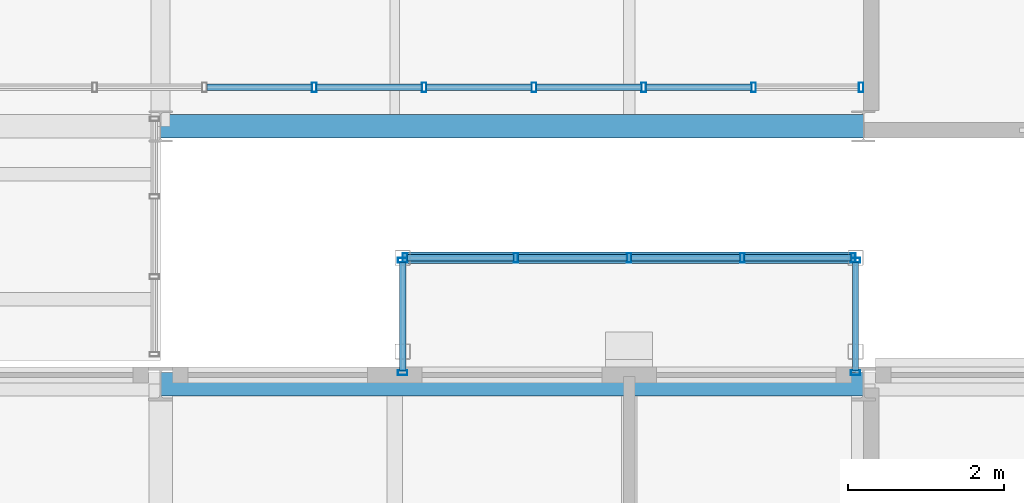
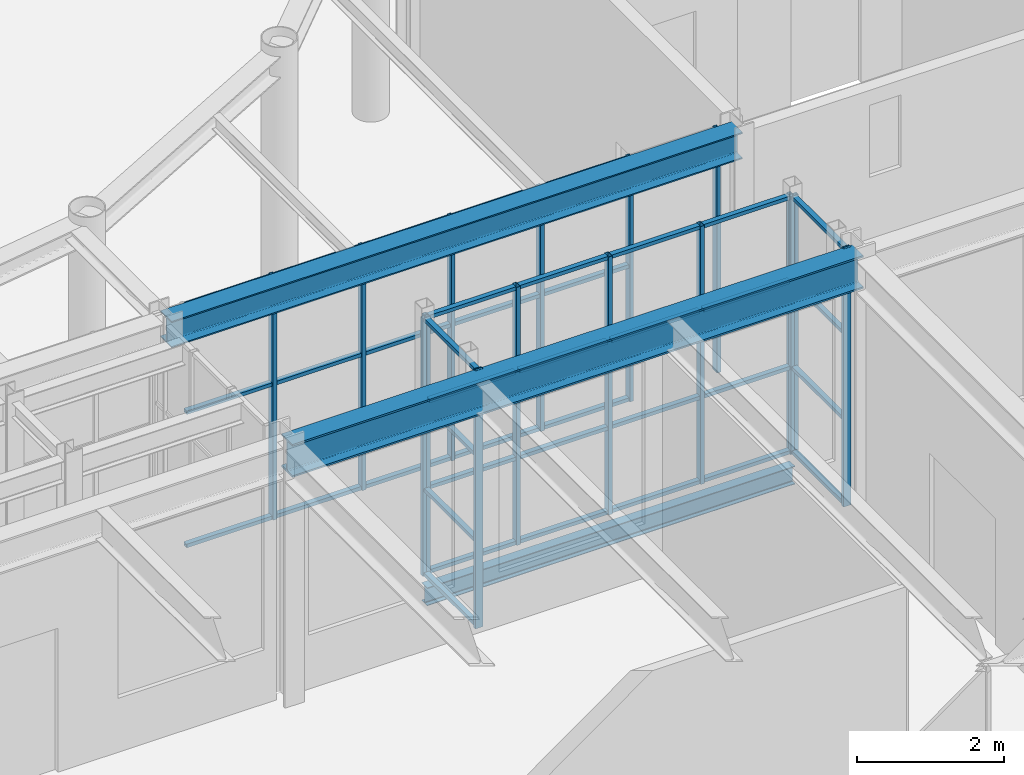
# One storey, part 50 of 149: 54 members, 3 beams, 4 elements without a shape of their own.
"""IFC4 building model written with IfcOpenShell, lengths in metres."""

import ifcopenshell
import ifcopenshell.guid

model = None  # the IFC model being written
_history = None  # IfcOwnerHistory: only IFC2X3 demands one
_inside = {}  # id of a spatial element -> (the spatial element, [elements in it])
_under = {}  # id of a project, library or spatial element -> (it, [spatial elements below it])
_declared = {}  # id of a project -> (the project, [libraries it declares])
_typed = {}  # id of a type object -> (the type object, [elements of that type])
_made_of = {}  # id of a material, layer set ... -> (it, [elements and type objects made of it])


def new_model(schema):
    """Start an empty IFC model of exactly this schema.

    Asked for "IFC4X3", IfcOpenShell would pick the latest addendum, in which some entities
    have other attributes; the version numbers below select the first issue.
    IFC2X3 requires an IfcOwnerHistory on every rooted entity: one is made here for all.
    """
    global model, _history
    if schema == "IFC4X3":
        model = ifcopenshell.file(schema_version=(4, 3, 0, 0))
    else:
        model = ifcopenshell.file(schema=schema)
    _inside.clear()
    _under.clear()
    _declared.clear()
    _typed.clear()
    _made_of.clear()
    _history = None
    if model.schema == "IFC2X3":
        org = make("IfcOrganization", Name="unknown")
        user = make(
            "IfcPersonAndOrganization",
            ThePerson=make("IfcPerson", FamilyName="unknown"),
            TheOrganization=org,
        )
        app = make(
            "IfcApplication",
            ApplicationDeveloper=org,
            Version="unknown",
            ApplicationFullName="unknown",
            ApplicationIdentifier="unknown",
        )
        _history = make(
            "IfcOwnerHistory",
            OwningUser=user,
            OwningApplication=app,
            ChangeAction="ADDED",
            CreationDate=0,
        )
    return model


def make(cls, **values):
    """One entity of the class cls with the attributes given. An attribute that is None is left unset."""
    return model.create_entity(
        cls, **{name: value for name, value in values.items() if value is not None}
    )


def rooted(cls, **values):
    """An entity with a GlobalId (a new one), such as an element, a storey or a relation."""
    return make(cls, GlobalId=ifcopenshell.guid.new(), OwnerHistory=_history, **values)


def si_unit(unit_type, name, prefix=None):
    """IfcSIUnit, for example si_unit("LENGTHUNIT", "METRE", prefix="MILLI")."""
    return make("IfcSIUnit", UnitType=unit_type, Prefix=prefix, Name=name)


def assignment(units):
    """IfcUnitAssignment: the units of a project."""
    return None if units is None else make("IfcUnitAssignment", Units=units)


def point(xyz):
    """IfcCartesianPoint."""
    return None if xyz is None else make("IfcCartesianPoint", Coordinates=xyz)


def direction(xyz):
    """IfcDirection."""
    return None if xyz is None else make("IfcDirection", DirectionRatios=xyz)


def frame(location, z_axis=None, x_axis=None):
    """IfcAxis2Placement3D, a coordinate frame: its origin and axes. An axis left out is left unset."""
    return make(
        "IfcAxis2Placement3D",
        Location=point(location),
        Axis=direction(z_axis),
        RefDirection=direction(x_axis),
    )


def frame_2d(location, x_axis=None):
    """IfcAxis2Placement2D, a coordinate frame in the plane: its origin and x axis."""
    return make(
        "IfcAxis2Placement2D", Location=point(location), RefDirection=direction(x_axis)
    )


def origin():
    """The frame at (0, 0, 0) with its axes left unset."""
    return frame((0.0, 0.0, 0.0))


def origin_2d():
    """The frame at (0, 0) in the plane with its x axis left unset."""
    return frame_2d((0.0, 0.0))


def place(relative_to, where):
    """IfcLocalPlacement: puts the frame where relative to a parent placement (None: the world)."""
    return make(
        "IfcLocalPlacement", PlacementRelTo=relative_to, RelativePlacement=where
    )


def context(
    kind, dimensions, precision=None, world=None, true_north=None, identifier=None
):
    """IfcGeometricRepresentationContext, for example the 3D "Model" context."""
    return make(
        "IfcGeometricRepresentationContext",
        ContextIdentifier=identifier,
        ContextType=kind,
        CoordinateSpaceDimension=dimensions,
        Precision=precision,
        WorldCoordinateSystem=world,
        TrueNorth=true_north,
    )


def subcontext(parent, identifier, kind, view, scale=None):
    """IfcGeometricRepresentationSubContext, for example "Body" below "Model"."""
    return make(
        "IfcGeometricRepresentationSubContext",
        ContextIdentifier=identifier,
        ContextType=kind,
        ParentContext=parent,
        TargetScale=scale,
        TargetView=view,
    )


def project(units=None, contexts=None):
    """IfcProject with its units and contexts."""
    return rooted(
        "IfcProject",
        Name="project",
        RepresentationContexts=contexts,
        UnitsInContext=assignment(units),
    )


def spatial(cls, under=None, at=None, **own):
    """A site, building, storey or space (cls), placed at a placement, below another one or the project."""
    s = rooted(cls, ObjectPlacement=at, **own)
    if under is not None:
        _under.setdefault(under.id(), (under, []))[1].append(s)
    return s


def profile(cls, at=None, kind="AREA", **sizes):
    """A parametric profile (cls). Its sizes go by their IFC names, for example OverallWidth=200.0."""
    return make(cls, ProfileType=kind, Position=at, **sizes)


def hollow_rectangle(**sizes):
    """IfcRectangleHollowProfileDef."""
    return profile("IfcRectangleHollowProfileDef", **sizes)


def i_section(**sizes):
    """IfcIShapeProfileDef."""
    return profile("IfcIShapeProfileDef", **sizes)


def extrude(swept, where, along, depth):
    """IfcExtrudedAreaSolid: the profile swept, set in the frame where, extruded along a direction by depth."""
    return make(
        "IfcExtrudedAreaSolid",
        SweptArea=swept,
        Position=where,
        ExtrudedDirection=direction(along),
        Depth=depth,
    )


def shape(context_of_items, identifier, shape_type, items):
    """IfcShapeRepresentation: the items that make up one representation, for example the "Body"."""
    return make(
        "IfcShapeRepresentation",
        ContextOfItems=context_of_items,
        RepresentationIdentifier=identifier,
        RepresentationType=shape_type,
        Items=items,
    )


def material(Name=None, Category=None):
    """IfcMaterial."""
    return make("IfcMaterial", Name=Name, Category=Category)


def layer(
    of_material, thickness, ventilated=None, Name=None, Category=None, Priority=None
):
    """IfcMaterialLayer: one layer of a wall or slab, of a material (None: an air gap)."""
    return make(
        "IfcMaterialLayer",
        Material=of_material,
        LayerThickness=thickness,
        IsVentilated=ventilated,
        Name=Name,
        Category=Category,
        Priority=Priority,
    )


def layer_set(layers, Name=None):
    """IfcMaterialLayerSet."""
    return make("IfcMaterialLayerSet", MaterialLayers=layers, LayerSetName=Name)


def material_profile(
    of_material, cross_section, Name=None, Category=None, Priority=None
):
    """IfcMaterialProfile: a cross section and its material."""
    return make(
        "IfcMaterialProfile",
        Name=Name,
        Material=of_material,
        Profile=cross_section,
        Priority=Priority,
        Category=Category,
    )


def profile_set(profiles, Name=None, composite=None):
    """IfcMaterialProfileSet."""
    return make(
        "IfcMaterialProfileSet",
        Name=Name,
        MaterialProfiles=profiles,
        CompositeProfile=composite,
    )


def made_of(thing, what):
    """Note that an element or type object is made of a material, layer set ...; save() writes the relation."""
    if what is not None:
        _made_of.setdefault(what.id(), (what, []))[1].append(thing)
    return thing


def type_object(cls, material=None, **own):
    """A type object (cls), such as IfcWallType, which elements share."""
    return made_of(rooted(cls, **own), material)


def element(
    cls,
    number,
    at=None,
    inside=None,
    cuts=None,
    type_object=None,
    material=None,
    context=None,
    identifier="Body",
    shape_type=None,
    held_by="IfcProductDefinitionShape",
    body=None,
    shapes=None,
    **own,
):
    """One element of the class cls, such as IfcWall. Its Tag is "e" and its number.

    at: its placement. inside: the storey or other place that contains it. cuts: it is an
    opening in that element (IfcRelVoidsElement). A single representation is given by context,
    identifier, shape_type and body (its items); several are given by shapes. held_by: the class
    of the entity that holds the representations. save() writes the other relations.
    """
    e = rooted(cls, Tag="e%d" % number, ObjectPlacement=at, **own)
    if body is not None:
        shapes = [shape(context, identifier, shape_type, body)]
    if shapes is not None:
        e.Representation = make(held_by, Representations=shapes)
    if inside is not None:
        _inside.setdefault(inside.id(), (inside, []))[1].append(e)
    if cuts is not None:
        rooted(
            "IfcRelVoidsElement", RelatingBuildingElement=cuts, RelatedOpeningElement=e
        )
    if type_object is not None:
        _typed.setdefault(type_object.id(), (type_object, []))[1].append(e)
    return made_of(e, material)


def aggregate(whole, parts):
    """IfcRelAggregates: a whole, such as a stair, and the parts it consists of."""
    return rooted("IfcRelAggregates", RelatingObject=whole, RelatedObjects=parts)


def save(model, path):
    """Write the relations noted so far, then the file.

    IfcRelAggregates (storeys below a building ...), IfcRelContainedInSpatialStructure (elements
    in a storey), IfcRelDefinesByType, IfcRelAssociatesMaterial and IfcRelDeclares: one each for
    every whole, place, type object, material and project.
    """
    for whole, parts in _under.values():
        aggregate(whole, parts)
    for where, things in _inside.values():
        rooted(
            "IfcRelContainedInSpatialStructure",
            RelatedElements=things,
            RelatingStructure=where,
        )
    for kind, things in _typed.values():
        rooted("IfcRelDefinesByType", RelatedObjects=things, RelatingType=kind)
    for what, things in _made_of.values():
        rooted("IfcRelAssociatesMaterial", RelatedObjects=things, RelatingMaterial=what)
    for by, libraries in _declared.values():
        rooted("IfcRelDeclares", RelatingContext=by, RelatedDefinitions=libraries)
    model.write(path)


model = new_model("IFC4")

# Units and contexts
model_context = context("Model", 3, precision=1e-05, world=origin(), true_north=direction((0.0, 1.0)))
body_context = subcontext(model_context, "Body", "Model", "MODEL_VIEW")
ifc_project = project(units=[si_unit("LENGTHUNIT", "METRE"), si_unit("AREAUNIT", "SQUARE_METRE"), si_unit("VOLUMEUNIT", "CUBIC_METRE"), si_unit("PLANEANGLEUNIT", "RADIAN"), si_unit("MASSUNIT", "GRAM", prefix="KILO")], contexts=[model_context])

# Site, building, storey
site_placement = place(None, origin())
site = spatial("IfcSite", under=ifc_project, at=site_placement, CompositionType="ELEMENT")
building_placement = place(site_placement, origin())
building = spatial("IfcBuilding", under=site, at=building_placement, Name="Kallimachos Central Library", CompositionType="ELEMENT")
storey_placement = place(building_placement, frame((0.0, 0.0, 9.89990234375)))
storey = spatial("IfcBuildingStorey", under=building, at=storey_placement, Name="L02", CompositionType="ELEMENT", Elevation=9.89990234375)

# Curtain wall, members
ifc_material_1 = material(Name="Anodised aluminium and laminated glass", Category="aluminium")
ifc_layer = layer(ifc_material_1, 0.159912109375)
ifc_layer_set = layer_set([ifc_layer], Name="Glass box curtain wall")
curtain_wall_type_1 = type_object("IfcCurtainWallType", Name="Glass box curtain wall", PredefinedType="NOTDEFINED", material=ifc_layer_set)
curtain_wall_1_placement = place(storey_placement, origin())
curtain_wall_1 = element("IfcCurtainWall", 1, at=curtain_wall_1_placement, inside=storey, type_object=curtain_wall_type_1, Name="Glass box curtain wall S L02", PredefinedType="NOTDEFINED")
ifc_material_2 = material(Name="Anodised aluminium", Category="aluminium")
ifc_material_profile_1 = material_profile(ifc_material_2, hollow_rectangle(XDim=0.06005859375, YDim=0.1201171875, WallThickness=0.00390625, at=origin_2d()), Name="ALU MULLION 60x120")
ifc_profile_set_1 = profile_set([ifc_material_profile_1], Name="Anodised aluminium")
member_type_1 = type_object("IfcMemberType", Name="Glass box mullion 60x120", PredefinedType="MULLION", material=ifc_profile_set_1)
member_1_placement = place(storey_placement, frame((94.46875, 87.64990234375, 0.0), z_axis=(0.0, 0.0, 1.0), x_axis=(1.0, 0.0, 0.0)))
member_1 = element("IfcMember", 2, at=member_1_placement, type_object=member_type_1, Name="CW13 mullion 4", PredefinedType="MULLION", context=body_context, shape_type="SweptSolid", body=[
    extrude(hollow_rectangle(XDim=0.06005859375, YDim=0.1201171875, WallThickness=0.00390625, at=origin_2d()), origin(), (0.0, 0.0, 1.0), 4.050048828125),
])
member_2_placement = place(storey_placement, frame((95.875, 87.64990234375, 0.0), z_axis=(0.0, 0.0, 1.0), x_axis=(1.0, 0.0, 0.0)))
member_2 = element("IfcMember", 3, at=member_2_placement, type_object=member_type_1, Name="CW13 mullion 5", PredefinedType="MULLION", context=body_context, shape_type="SweptSolid", body=[
    extrude(hollow_rectangle(XDim=0.06005859375, YDim=0.1201171875, WallThickness=0.00390625, at=origin_2d()), origin(), (0.0, 0.0, 1.0), 4.050048828125),
])
member_3_placement = place(storey_placement, frame((97.28125, 87.64990234375, 0.0), z_axis=(0.0, 0.0, 1.0), x_axis=(1.0, 0.0, 0.0)))
member_3 = element("IfcMember", 4, at=member_3_placement, type_object=member_type_1, Name="CW13 mullion 6", PredefinedType="MULLION", context=body_context, shape_type="SweptSolid", body=[
    extrude(hollow_rectangle(XDim=0.06005859375, YDim=0.1201171875, WallThickness=0.00390625, at=origin_2d()), origin(), (0.0, 0.0, 1.0), 4.050048828125),
])
member_4_placement = place(storey_placement, frame((98.6875, 87.64990234375, 0.0), z_axis=(0.0, 0.0, 1.0), x_axis=(1.0, 0.0, 0.0)))
member_4 = element("IfcMember", 5, at=member_4_placement, type_object=member_type_1, Name="CW13 mullion 7", PredefinedType="MULLION", context=body_context, shape_type="SweptSolid", body=[
    extrude(hollow_rectangle(XDim=0.06005859375, YDim=0.1201171875, WallThickness=0.00390625, at=origin_2d()), origin(), (0.0, 0.0, 1.0), 4.050048828125),
])
member_5_placement = place(storey_placement, frame((100.09375, 87.64990234375, 0.0), z_axis=(0.0, 0.0, 1.0), x_axis=(1.0, 0.0, 0.0)))
member_5 = element("IfcMember", 6, at=member_5_placement, type_object=member_type_1, Name="CW13 mullion 8", PredefinedType="MULLION", context=body_context, shape_type="SweptSolid", body=[
    extrude(hollow_rectangle(XDim=0.06005859375, YDim=0.1201171875, WallThickness=0.00390625, at=origin_2d()), origin(), (0.0, 0.0, 1.0), 4.050048828125),
])
member_6_placement = place(storey_placement, frame((101.469970703125, 87.64990234375, 0.0), z_axis=(0.0, 0.0, 1.0), x_axis=(1.0, 0.0, 0.0)))
member_6 = element("IfcMember", 7, at=member_6_placement, type_object=member_type_1, Name="CW13 mullion 9", PredefinedType="MULLION", context=body_context, shape_type="SweptSolid", body=[
    extrude(hollow_rectangle(XDim=0.06005859375, YDim=0.1201171875, WallThickness=0.00390625, at=origin_2d()), origin(), (0.0, 0.0, 1.0), 4.050048828125),
])
ifc_material_3 = material(Name="Anodised aluminium", Category="aluminium")
ifc_material_profile_2 = material_profile(ifc_material_3, hollow_rectangle(XDim=0.06005859375, YDim=0.080078125, WallThickness=0.00390625, at=origin_2d()), Name="ALU TRANSOM 60x80")
ifc_profile_set_2 = profile_set([ifc_material_profile_2], Name="Anodised aluminium")
member_type_2 = type_object("IfcMemberType", Name="Glass box transom 60x80", PredefinedType="USERDEFINED", material=ifc_profile_set_2)
member_7_placement = place(storey_placement, frame((93.092529296875, 87.64990234375, 0.030029296875), z_axis=(1.0, 0.0, 0.0), x_axis=(0.0, 0.0, 1.0)))
member_7 = element("IfcMember", 8, at=member_7_placement, type_object=member_type_2, Name="CW13 transom 3.1", ObjectType="TRANSOM", PredefinedType="USERDEFINED", context=body_context, shape_type="SweptSolid", body=[
    extrude(hollow_rectangle(XDim=0.06005859375, YDim=0.080078125, WallThickness=0.00390625, at=origin_2d()), origin(), (0.0, 0.0, 1.0), 1.34619140625),
])
member_8_placement = place(storey_placement, frame((93.092529296875, 87.64990234375, 2.25), z_axis=(1.0, 0.0, 0.0), x_axis=(0.0, 0.0, 1.0)))
member_8 = element("IfcMember", 9, at=member_8_placement, type_object=member_type_2, Name="CW13 transom 3.2", ObjectType="TRANSOM", PredefinedType="USERDEFINED", context=body_context, shape_type="SweptSolid", body=[
    extrude(hollow_rectangle(XDim=0.06005859375, YDim=0.080078125, WallThickness=0.00390625, at=origin_2d()), origin(), (0.0, 0.0, 1.0), 1.34619140625),
])
member_9_placement = place(storey_placement, frame((93.092529296875, 87.64990234375, 4.02001953125), z_axis=(1.0, 0.0, 0.0), x_axis=(0.0, 0.0, 1.0)))
member_9 = element("IfcMember", 10, at=member_9_placement, type_object=member_type_2, Name="CW13 transom 3.3", ObjectType="TRANSOM", PredefinedType="USERDEFINED", context=body_context, shape_type="SweptSolid", body=[
    extrude(hollow_rectangle(XDim=0.06005859375, YDim=0.080078125, WallThickness=0.00390625, at=origin_2d()), origin(), (0.0, 0.0, 1.0), 1.34619140625),
])
member_10_placement = place(storey_placement, frame((94.498779296875, 87.64990234375, 0.030029296875), z_axis=(1.0, 0.0, 0.0), x_axis=(0.0, 0.0, 1.0)))
member_10 = element("IfcMember", 11, at=member_10_placement, type_object=member_type_2, Name="CW13 transom 4.1", ObjectType="TRANSOM", PredefinedType="USERDEFINED", context=body_context, shape_type="SweptSolid", body=[
    extrude(hollow_rectangle(XDim=0.06005859375, YDim=0.080078125, WallThickness=0.00390625, at=origin_2d()), origin(), (0.0, 0.0, 1.0), 1.34619140625),
])
member_11_placement = place(storey_placement, frame((94.498779296875, 87.64990234375, 2.25), z_axis=(1.0, 0.0, 0.0), x_axis=(0.0, 0.0, 1.0)))
member_11 = element("IfcMember", 12, at=member_11_placement, type_object=member_type_2, Name="CW13 transom 4.2", ObjectType="TRANSOM", PredefinedType="USERDEFINED", context=body_context, shape_type="SweptSolid", body=[
    extrude(hollow_rectangle(XDim=0.06005859375, YDim=0.080078125, WallThickness=0.00390625, at=origin_2d()), origin(), (0.0, 0.0, 1.0), 1.34619140625),
])
member_12_placement = place(storey_placement, frame((94.498779296875, 87.64990234375, 4.02001953125), z_axis=(1.0, 0.0, 0.0), x_axis=(0.0, 0.0, 1.0)))
member_12 = element("IfcMember", 13, at=member_12_placement, type_object=member_type_2, Name="CW13 transom 4.3", ObjectType="TRANSOM", PredefinedType="USERDEFINED", context=body_context, shape_type="SweptSolid", body=[
    extrude(hollow_rectangle(XDim=0.06005859375, YDim=0.080078125, WallThickness=0.00390625, at=origin_2d()), origin(), (0.0, 0.0, 1.0), 1.34619140625),
])
member_13_placement = place(storey_placement, frame((95.905029296875, 87.64990234375, 0.030029296875), z_axis=(1.0, 0.0, 0.0), x_axis=(0.0, 0.0, 1.0)))
member_13 = element("IfcMember", 14, at=member_13_placement, type_object=member_type_2, Name="CW13 transom 5.1", ObjectType="TRANSOM", PredefinedType="USERDEFINED", context=body_context, shape_type="SweptSolid", body=[
    extrude(hollow_rectangle(XDim=0.06005859375, YDim=0.080078125, WallThickness=0.00390625, at=origin_2d()), origin(), (0.0, 0.0, 1.0), 1.34619140625),
])
member_14_placement = place(storey_placement, frame((95.905029296875, 87.64990234375, 2.25), z_axis=(1.0, 0.0, 0.0), x_axis=(0.0, 0.0, 1.0)))
member_14 = element("IfcMember", 15, at=member_14_placement, type_object=member_type_2, Name="CW13 transom 5.2", ObjectType="TRANSOM", PredefinedType="USERDEFINED", context=body_context, shape_type="SweptSolid", body=[
    extrude(hollow_rectangle(XDim=0.06005859375, YDim=0.080078125, WallThickness=0.00390625, at=origin_2d()), origin(), (0.0, 0.0, 1.0), 1.34619140625),
])
member_15_placement = place(storey_placement, frame((95.905029296875, 87.64990234375, 4.02001953125), z_axis=(1.0, 0.0, 0.0), x_axis=(0.0, 0.0, 1.0)))
member_15 = element("IfcMember", 16, at=member_15_placement, type_object=member_type_2, Name="CW13 transom 5.3", ObjectType="TRANSOM", PredefinedType="USERDEFINED", context=body_context, shape_type="SweptSolid", body=[
    extrude(hollow_rectangle(XDim=0.06005859375, YDim=0.080078125, WallThickness=0.00390625, at=origin_2d()), origin(), (0.0, 0.0, 1.0), 1.34619140625),
])
member_16_placement = place(storey_placement, frame((97.311279296875, 87.64990234375, 0.030029296875), z_axis=(1.0, 0.0, 0.0), x_axis=(0.0, 0.0, 1.0)))
member_16 = element("IfcMember", 17, at=member_16_placement, type_object=member_type_2, Name="CW13 transom 6.1", ObjectType="TRANSOM", PredefinedType="USERDEFINED", context=body_context, shape_type="SweptSolid", body=[
    extrude(hollow_rectangle(XDim=0.06005859375, YDim=0.080078125, WallThickness=0.00390625, at=origin_2d()), origin(), (0.0, 0.0, 1.0), 1.34619140625),
])
member_17_placement = place(storey_placement, frame((97.311279296875, 87.64990234375, 2.25), z_axis=(1.0, 0.0, 0.0), x_axis=(0.0, 0.0, 1.0)))
member_17 = element("IfcMember", 18, at=member_17_placement, type_object=member_type_2, Name="CW13 transom 6.2", ObjectType="TRANSOM", PredefinedType="USERDEFINED", context=body_context, shape_type="SweptSolid", body=[
    extrude(hollow_rectangle(XDim=0.06005859375, YDim=0.080078125, WallThickness=0.00390625, at=origin_2d()), origin(), (0.0, 0.0, 1.0), 1.34619140625),
])
member_18_placement = place(storey_placement, frame((97.311279296875, 87.64990234375, 4.02001953125), z_axis=(1.0, 0.0, 0.0), x_axis=(0.0, 0.0, 1.0)))
member_18 = element("IfcMember", 19, at=member_18_placement, type_object=member_type_2, Name="CW13 transom 6.3", ObjectType="TRANSOM", PredefinedType="USERDEFINED", context=body_context, shape_type="SweptSolid", body=[
    extrude(hollow_rectangle(XDim=0.06005859375, YDim=0.080078125, WallThickness=0.00390625, at=origin_2d()), origin(), (0.0, 0.0, 1.0), 1.34619140625),
])
member_19_placement = place(storey_placement, frame((98.717529296875, 87.64990234375, 0.030029296875), z_axis=(1.0, 0.0, 0.0), x_axis=(0.0, 0.0, 1.0)))
member_19 = element("IfcMember", 20, at=member_19_placement, type_object=member_type_2, Name="CW13 transom 7.1", ObjectType="TRANSOM", PredefinedType="USERDEFINED", context=body_context, shape_type="SweptSolid", body=[
    extrude(hollow_rectangle(XDim=0.06005859375, YDim=0.080078125, WallThickness=0.00390625, at=origin_2d()), origin(), (0.0, 0.0, 1.0), 1.34619140625),
])
member_20_placement = place(storey_placement, frame((98.717529296875, 87.64990234375, 2.25), z_axis=(1.0, 0.0, 0.0), x_axis=(0.0, 0.0, 1.0)))
member_20 = element("IfcMember", 21, at=member_20_placement, type_object=member_type_2, Name="CW13 transom 7.2", ObjectType="TRANSOM", PredefinedType="USERDEFINED", context=body_context, shape_type="SweptSolid", body=[
    extrude(hollow_rectangle(XDim=0.06005859375, YDim=0.080078125, WallThickness=0.00390625, at=origin_2d()), origin(), (0.0, 0.0, 1.0), 1.34619140625),
])
member_21_placement = place(storey_placement, frame((98.717529296875, 87.64990234375, 4.02001953125), z_axis=(1.0, 0.0, 0.0), x_axis=(0.0, 0.0, 1.0)))
member_21 = element("IfcMember", 22, at=member_21_placement, type_object=member_type_2, Name="CW13 transom 7.3", ObjectType="TRANSOM", PredefinedType="USERDEFINED", context=body_context, shape_type="SweptSolid", body=[
    extrude(hollow_rectangle(XDim=0.06005859375, YDim=0.080078125, WallThickness=0.00390625, at=origin_2d()), origin(), (0.0, 0.0, 1.0), 1.34619140625),
])
aggregate(curtain_wall_1, [member_1, member_2, member_3, member_4, member_5, member_6, member_7, member_8, member_9, member_10, member_11, member_12, member_13, member_14, member_15, member_16, member_17, member_18, member_19, member_20, member_21])

# Beams
ifc_material_4 = material(Name="Steel S355J2", Category="steel")
ifc_material_profile_3 = material_profile(ifc_material_4, i_section(OverallWidth=0.300048828125, OverallDepth=0.43994140625, WebThickness=0.011474609375, FlangeThickness=0.02099609375, FilletRadius=0.027099609375, at=origin_2d()), Name="HEA 450")
ifc_profile_set_3 = profile_set([ifc_material_profile_3], Name="Steel S355J2")
beam_type_1 = type_object("IfcBeamType", Name="HEA 450 beam", PredefinedType="BEAM", material=ifc_profile_set_3)
beam_1_placement = place(storey_placement, frame((92.5, 87.14990234375, 4.130126953125), z_axis=(1.0, 0.0, 0.0), x_axis=(0.0, 1.0, 0.0)))
element("IfcBeam", 23, at=beam_1_placement, inside=storey, type_object=beam_type_1, Name="V1-BEM-L02-041", PredefinedType="BEAM", context=body_context, shape_type="SweptSolid", body=[
    extrude(i_section(OverallWidth=0.300048828125, OverallDepth=0.43994140625, WebThickness=0.011474609375, FlangeThickness=0.02099609375, FilletRadius=0.027099609375, at=origin_2d()), origin(), (0.0, 0.0, 1.0), 9.0),
])
ifc_material_5 = material(Name="Steel S355J2", Category="steel")
ifc_material_profile_4 = material_profile(ifc_material_5, i_section(OverallWidth=0.300048828125, OverallDepth=0.550048828125, WebThickness=0.014892578125, FlangeThickness=0.029052734375, FilletRadius=0.027099609375, at=origin_2d()), Name="HEB 550")
ifc_profile_set_4 = profile_set([ifc_material_profile_4], Name="Steel S355J2")
beam_type_2 = type_object("IfcBeamType", Name="HEB 550 beam", PredefinedType="BEAM", material=ifc_profile_set_4)
beam_2_placement = place(storey_placement, frame((92.5, 83.85009765625, 4.025146484375), z_axis=(1.0, 0.0, 0.0), x_axis=(0.0, 1.0, 0.0)))
element("IfcBeam", 24, at=beam_2_placement, inside=storey, type_object=beam_type_2, Name="V4-BEM-L02-007", PredefinedType="BEAM", context=body_context, shape_type="SweptSolid", body=[
    extrude(i_section(OverallWidth=0.300048828125, OverallDepth=0.550048828125, WebThickness=0.014892578125, FlangeThickness=0.029052734375, FilletRadius=0.027099609375, at=origin_2d()), origin(), (0.0, 0.0, 1.0), 9.0),
])
ifc_material_6 = material(Name="Steel S355J2", Category="steel")
ifc_material_profile_5 = material_profile(ifc_material_6, i_section(OverallWidth=0.14990234375, OverallDepth=0.300048828125, WebThickness=0.007080078125, FlangeThickness=0.0107421875, FilletRadius=0.014892578125, at=origin_2d()), Name="IPE 300")
ifc_profile_set_5 = profile_set([ifc_material_profile_5], Name="Steel S355J2")
beam_type_3 = type_object("IfcBeamType", Name="IPE 300 beam", PredefinedType="BEAM", material=ifc_profile_set_5)
beam_3_placement = place(storey_placement, frame((95.60009765625, 85.466064453125, -0.349853515625), z_axis=(1.0, 0.0, 0.0), x_axis=(0.0, 1.0, 0.0)))
element("IfcBeam", 25, at=beam_3_placement, inside=storey, type_object=beam_type_3, Name="Tribune bay N2 edge beam L02", PredefinedType="BEAM", context=body_context, shape_type="SweptSolid", body=[
    extrude(i_section(OverallWidth=0.14990234375, OverallDepth=0.300048828125, WebThickness=0.007080078125, FlangeThickness=0.0107421875, FilletRadius=0.014892578125, at=origin_2d()), origin(), (0.0, 0.0, 1.0), 5.7998046875),
])

# Curtain wall, members
ifc_material_7 = material(Name="Aluminium and laminated glass", Category="aluminium")
curtain_wall_type_2 = type_object("IfcCurtainWallType", Name="Tribune bay glazed screen", PredefinedType="NOTDEFINED", material=ifc_material_7)
curtain_wall_2_placement = place(storey_placement, origin())
curtain_wall_2 = element("IfcCurtainWall", 26, at=curtain_wall_2_placement, inside=storey, type_object=curtain_wall_type_2, Name="Tribune bay N2 L02 front", PredefinedType="NOTDEFINED")
ifc_material_8 = material(Name="Anodised aluminium", Category="aluminium")
ifc_material_profile_6 = material_profile(ifc_material_8, hollow_rectangle(XDim=0.06005859375, YDim=0.1201171875, WallThickness=0.00390625, at=origin_2d()), Name="ALU MULLION 60x120")
ifc_profile_set_6 = profile_set([ifc_material_profile_6], Name="Anodised aluminium")
member_type_3 = type_object("IfcMemberType", Name="Tribune bay mullion", PredefinedType="MULLION", material=ifc_profile_set_6)
member_22_placement = place(storey_placement, frame((95.6298828125, 85.466064453125, 0.0), z_axis=(0.0, 0.0, 1.0), x_axis=(1.0, 0.0, 0.0)))
member_22 = element("IfcMember", 27, at=member_22_placement, type_object=member_type_3, Name="CW mullion 1", PredefinedType="MULLION", context=body_context, shape_type="SweptSolid", body=[
    extrude(hollow_rectangle(XDim=0.06005859375, YDim=0.1201171875, WallThickness=0.00390625, at=origin_2d()), origin(), (0.0, 0.0, 1.0), 4.300048828125),
])
member_23_placement = place(storey_placement, frame((97.050048828125, 85.466064453125, 0.0), z_axis=(0.0, 0.0, 1.0), x_axis=(1.0, 0.0, 0.0)))
member_23 = element("IfcMember", 28, at=member_23_placement, type_object=member_type_3, Name="CW mullion 2", PredefinedType="MULLION", context=body_context, shape_type="SweptSolid", body=[
    extrude(hollow_rectangle(XDim=0.06005859375, YDim=0.1201171875, WallThickness=0.00390625, at=origin_2d()), origin(), (0.0, 0.0, 1.0), 4.300048828125),
])
member_24_placement = place(storey_placement, frame((98.5, 85.466064453125, 0.0), z_axis=(0.0, 0.0, 1.0), x_axis=(1.0, 0.0, 0.0)))
member_24 = element("IfcMember", 29, at=member_24_placement, type_object=member_type_3, Name="CW mullion 3", PredefinedType="MULLION", context=body_context, shape_type="SweptSolid", body=[
    extrude(hollow_rectangle(XDim=0.06005859375, YDim=0.1201171875, WallThickness=0.00390625, at=origin_2d()), origin(), (0.0, 0.0, 1.0), 4.300048828125),
])
member_25_placement = place(storey_placement, frame((99.949951171875, 85.466064453125, 0.0), z_axis=(0.0, 0.0, 1.0), x_axis=(1.0, 0.0, 0.0)))
member_25 = element("IfcMember", 30, at=member_25_placement, type_object=member_type_3, Name="CW mullion 4", PredefinedType="MULLION", context=body_context, shape_type="SweptSolid", body=[
    extrude(hollow_rectangle(XDim=0.06005859375, YDim=0.1201171875, WallThickness=0.00390625, at=origin_2d()), origin(), (0.0, 0.0, 1.0), 4.300048828125),
])
member_26_placement = place(storey_placement, frame((101.3701171875, 85.466064453125, 0.0), z_axis=(0.0, 0.0, 1.0), x_axis=(1.0, 0.0, 0.0)))
member_26 = element("IfcMember", 31, at=member_26_placement, type_object=member_type_3, Name="CW mullion 5", PredefinedType="MULLION", context=body_context, shape_type="SweptSolid", body=[
    extrude(hollow_rectangle(XDim=0.06005859375, YDim=0.1201171875, WallThickness=0.00390625, at=origin_2d()), origin(), (0.0, 0.0, 1.0), 4.300048828125),
])

curtain_wall_3_placement = place(storey_placement, origin())
curtain_wall_3 = element("IfcCurtainWall", 32, at=curtain_wall_3_placement, inside=storey, type_object=curtain_wall_type_2, Name="Tribune bay N2 L02 return 1", PredefinedType="NOTDEFINED")
member_27_placement = place(storey_placement, frame((95.60009765625, 83.99609375, 0.0), z_axis=(0.0, 0.0, 1.0), x_axis=(0.0, 1.0, 0.0)))
member_27 = element("IfcMember", 33, at=member_27_placement, type_object=member_type_3, Name="CW mullion 1", PredefinedType="MULLION", context=body_context, shape_type="SweptSolid", body=[
    extrude(hollow_rectangle(XDim=0.06005859375, YDim=0.1201171875, WallThickness=0.00390625, at=origin_2d()), origin(), (0.0, 0.0, 1.0), 4.300048828125),
])
member_28_placement = place(storey_placement, frame((95.60009765625, 85.43603515625, 0.0), z_axis=(0.0, 0.0, 1.0), x_axis=(0.0, 1.0, 0.0)))
member_28 = element("IfcMember", 34, at=member_28_placement, type_object=member_type_3, Name="CW mullion 2", PredefinedType="MULLION", context=body_context, shape_type="SweptSolid", body=[
    extrude(hollow_rectangle(XDim=0.06005859375, YDim=0.1201171875, WallThickness=0.00390625, at=origin_2d()), origin(), (0.0, 0.0, 1.0), 4.300048828125),
])

curtain_wall_4_placement = place(storey_placement, origin())
curtain_wall_4 = element("IfcCurtainWall", 35, at=curtain_wall_4_placement, inside=storey, type_object=curtain_wall_type_2, Name="Tribune bay N2 L02 return 2", PredefinedType="NOTDEFINED")
member_29_placement = place(storey_placement, frame((101.39990234375, 83.99609375, 0.0), z_axis=(0.0, 0.0, 1.0), x_axis=(0.0, 1.0, 0.0)))
member_29 = element("IfcMember", 36, at=member_29_placement, type_object=member_type_3, Name="CW mullion 1", PredefinedType="MULLION", context=body_context, shape_type="SweptSolid", body=[
    extrude(hollow_rectangle(XDim=0.06005859375, YDim=0.1201171875, WallThickness=0.00390625, at=origin_2d()), origin(), (0.0, 0.0, 1.0), 4.300048828125),
])
member_30_placement = place(storey_placement, frame((101.39990234375, 85.43603515625, 0.0), z_axis=(0.0, 0.0, 1.0), x_axis=(0.0, 1.0, 0.0)))
member_30 = element("IfcMember", 37, at=member_30_placement, type_object=member_type_3, Name="CW mullion 2", PredefinedType="MULLION", context=body_context, shape_type="SweptSolid", body=[
    extrude(hollow_rectangle(XDim=0.06005859375, YDim=0.1201171875, WallThickness=0.00390625, at=origin_2d()), origin(), (0.0, 0.0, 1.0), 4.300048828125),
])

# Member
ifc_material_9 = material(Name="Anodised aluminium", Category="aluminium")
ifc_material_profile_7 = material_profile(ifc_material_9, hollow_rectangle(XDim=0.06005859375, YDim=0.080078125, WallThickness=0.00390625, at=origin_2d()), Name="ALU TRANSOM 60x80")
ifc_profile_set_7 = profile_set([ifc_material_profile_7], Name="Anodised aluminium")
member_type_4 = type_object("IfcMemberType", Name="Tribune bay transom", PredefinedType="USERDEFINED", material=ifc_profile_set_7)
member_31_placement = place(storey_placement, frame((95.659912109375, 85.466064453125, 0.030029296875), z_axis=(1.0, 0.0, 0.0), x_axis=(0.0, 0.0, 1.0)))
member_31 = element("IfcMember", 38, at=member_31_placement, type_object=member_type_4, Name="CW transom 1.1", ObjectType="TRANSOM", PredefinedType="USERDEFINED", context=body_context, shape_type="SweptSolid", body=[
    extrude(hollow_rectangle(XDim=0.06005859375, YDim=0.080078125, WallThickness=0.00390625, at=origin_2d()), origin(), (0.0, 0.0, 1.0), 1.360107421875),
])

member_32_placement = place(storey_placement, frame((95.659912109375, 85.466064453125, 1.433349609375), z_axis=(1.0, 0.0, 0.0), x_axis=(0.0, 0.0, 1.0)))
member_32 = element("IfcMember", 39, at=member_32_placement, type_object=member_type_4, Name="CW transom 1.2", ObjectType="TRANSOM", PredefinedType="USERDEFINED", context=body_context, shape_type="SweptSolid", body=[
    extrude(hollow_rectangle(XDim=0.06005859375, YDim=0.080078125, WallThickness=0.00390625, at=origin_2d()), origin(), (0.0, 0.0, 1.0), 1.360107421875),
])

member_33_placement = place(storey_placement, frame((95.659912109375, 85.466064453125, 2.86669921875), z_axis=(1.0, 0.0, 0.0), x_axis=(0.0, 0.0, 1.0)))
member_33 = element("IfcMember", 40, at=member_33_placement, type_object=member_type_4, Name="CW transom 1.3", ObjectType="TRANSOM", PredefinedType="USERDEFINED", context=body_context, shape_type="SweptSolid", body=[
    extrude(hollow_rectangle(XDim=0.06005859375, YDim=0.080078125, WallThickness=0.00390625, at=origin_2d()), origin(), (0.0, 0.0, 1.0), 1.360107421875),
])

member_34_placement = place(storey_placement, frame((95.659912109375, 85.466064453125, 4.27001953125), z_axis=(1.0, 0.0, 0.0), x_axis=(0.0, 0.0, 1.0)))
member_34 = element("IfcMember", 41, at=member_34_placement, type_object=member_type_4, Name="CW transom 1.4", ObjectType="TRANSOM", PredefinedType="USERDEFINED", context=body_context, shape_type="SweptSolid", body=[
    extrude(hollow_rectangle(XDim=0.06005859375, YDim=0.080078125, WallThickness=0.00390625, at=origin_2d()), origin(), (0.0, 0.0, 1.0), 1.360107421875),
])

member_35_placement = place(storey_placement, frame((97.080078125, 85.466064453125, 0.030029296875), z_axis=(1.0, 0.0, 0.0), x_axis=(0.0, 0.0, 1.0)))
member_35 = element("IfcMember", 42, at=member_35_placement, type_object=member_type_4, Name="CW transom 2.1", ObjectType="TRANSOM", PredefinedType="USERDEFINED", context=body_context, shape_type="SweptSolid", body=[
    extrude(hollow_rectangle(XDim=0.06005859375, YDim=0.080078125, WallThickness=0.00390625, at=origin_2d()), origin(), (0.0, 0.0, 1.0), 1.389892578125),
])

member_36_placement = place(storey_placement, frame((97.080078125, 85.466064453125, 1.433349609375), z_axis=(1.0, 0.0, 0.0), x_axis=(0.0, 0.0, 1.0)))
member_36 = element("IfcMember", 43, at=member_36_placement, type_object=member_type_4, Name="CW transom 2.2", ObjectType="TRANSOM", PredefinedType="USERDEFINED", context=body_context, shape_type="SweptSolid", body=[
    extrude(hollow_rectangle(XDim=0.06005859375, YDim=0.080078125, WallThickness=0.00390625, at=origin_2d()), origin(), (0.0, 0.0, 1.0), 1.389892578125),
])

member_37_placement = place(storey_placement, frame((97.080078125, 85.466064453125, 2.86669921875), z_axis=(1.0, 0.0, 0.0), x_axis=(0.0, 0.0, 1.0)))
member_37 = element("IfcMember", 44, at=member_37_placement, type_object=member_type_4, Name="CW transom 2.3", ObjectType="TRANSOM", PredefinedType="USERDEFINED", context=body_context, shape_type="SweptSolid", body=[
    extrude(hollow_rectangle(XDim=0.06005859375, YDim=0.080078125, WallThickness=0.00390625, at=origin_2d()), origin(), (0.0, 0.0, 1.0), 1.389892578125),
])

member_38_placement = place(storey_placement, frame((97.080078125, 85.466064453125, 4.27001953125), z_axis=(1.0, 0.0, 0.0), x_axis=(0.0, 0.0, 1.0)))
member_38 = element("IfcMember", 45, at=member_38_placement, type_object=member_type_4, Name="CW transom 2.4", ObjectType="TRANSOM", PredefinedType="USERDEFINED", context=body_context, shape_type="SweptSolid", body=[
    extrude(hollow_rectangle(XDim=0.06005859375, YDim=0.080078125, WallThickness=0.00390625, at=origin_2d()), origin(), (0.0, 0.0, 1.0), 1.389892578125),
])

member_39_placement = place(storey_placement, frame((98.530029296875, 85.466064453125, 0.030029296875), z_axis=(1.0, 0.0, 0.0), x_axis=(0.0, 0.0, 1.0)))
member_39 = element("IfcMember", 46, at=member_39_placement, type_object=member_type_4, Name="CW transom 3.1", ObjectType="TRANSOM", PredefinedType="USERDEFINED", context=body_context, shape_type="SweptSolid", body=[
    extrude(hollow_rectangle(XDim=0.06005859375, YDim=0.080078125, WallThickness=0.00390625, at=origin_2d()), origin(), (0.0, 0.0, 1.0), 1.389892578125),
])

member_40_placement = place(storey_placement, frame((98.530029296875, 85.466064453125, 1.433349609375), z_axis=(1.0, 0.0, 0.0), x_axis=(0.0, 0.0, 1.0)))
member_40 = element("IfcMember", 47, at=member_40_placement, type_object=member_type_4, Name="CW transom 3.2", ObjectType="TRANSOM", PredefinedType="USERDEFINED", context=body_context, shape_type="SweptSolid", body=[
    extrude(hollow_rectangle(XDim=0.06005859375, YDim=0.080078125, WallThickness=0.00390625, at=origin_2d()), origin(), (0.0, 0.0, 1.0), 1.389892578125),
])

member_41_placement = place(storey_placement, frame((98.530029296875, 85.466064453125, 2.86669921875), z_axis=(1.0, 0.0, 0.0), x_axis=(0.0, 0.0, 1.0)))
member_41 = element("IfcMember", 48, at=member_41_placement, type_object=member_type_4, Name="CW transom 3.3", ObjectType="TRANSOM", PredefinedType="USERDEFINED", context=body_context, shape_type="SweptSolid", body=[
    extrude(hollow_rectangle(XDim=0.06005859375, YDim=0.080078125, WallThickness=0.00390625, at=origin_2d()), origin(), (0.0, 0.0, 1.0), 1.389892578125),
])

member_42_placement = place(storey_placement, frame((98.530029296875, 85.466064453125, 4.27001953125), z_axis=(1.0, 0.0, 0.0), x_axis=(0.0, 0.0, 1.0)))
member_42 = element("IfcMember", 49, at=member_42_placement, type_object=member_type_4, Name="CW transom 3.4", ObjectType="TRANSOM", PredefinedType="USERDEFINED", context=body_context, shape_type="SweptSolid", body=[
    extrude(hollow_rectangle(XDim=0.06005859375, YDim=0.080078125, WallThickness=0.00390625, at=origin_2d()), origin(), (0.0, 0.0, 1.0), 1.389892578125),
])

member_43_placement = place(storey_placement, frame((99.97998046875, 85.466064453125, 0.030029296875), z_axis=(1.0, 0.0, 0.0), x_axis=(0.0, 0.0, 1.0)))
member_43 = element("IfcMember", 50, at=member_43_placement, type_object=member_type_4, Name="CW transom 4.1", ObjectType="TRANSOM", PredefinedType="USERDEFINED", context=body_context, shape_type="SweptSolid", body=[
    extrude(hollow_rectangle(XDim=0.06005859375, YDim=0.080078125, WallThickness=0.00390625, at=origin_2d()), origin(), (0.0, 0.0, 1.0), 1.360107421875),
])

member_44_placement = place(storey_placement, frame((99.97998046875, 85.466064453125, 1.433349609375), z_axis=(1.0, 0.0, 0.0), x_axis=(0.0, 0.0, 1.0)))
member_44 = element("IfcMember", 51, at=member_44_placement, type_object=member_type_4, Name="CW transom 4.2", ObjectType="TRANSOM", PredefinedType="USERDEFINED", context=body_context, shape_type="SweptSolid", body=[
    extrude(hollow_rectangle(XDim=0.06005859375, YDim=0.080078125, WallThickness=0.00390625, at=origin_2d()), origin(), (0.0, 0.0, 1.0), 1.360107421875),
])

member_45_placement = place(storey_placement, frame((99.97998046875, 85.466064453125, 2.86669921875), z_axis=(1.0, 0.0, 0.0), x_axis=(0.0, 0.0, 1.0)))
member_45 = element("IfcMember", 52, at=member_45_placement, type_object=member_type_4, Name="CW transom 4.3", ObjectType="TRANSOM", PredefinedType="USERDEFINED", context=body_context, shape_type="SweptSolid", body=[
    extrude(hollow_rectangle(XDim=0.06005859375, YDim=0.080078125, WallThickness=0.00390625, at=origin_2d()), origin(), (0.0, 0.0, 1.0), 1.360107421875),
])

member_46_placement = place(storey_placement, frame((99.97998046875, 85.466064453125, 4.27001953125), z_axis=(1.0, 0.0, 0.0), x_axis=(0.0, 0.0, 1.0)))
member_46 = element("IfcMember", 53, at=member_46_placement, type_object=member_type_4, Name="CW transom 4.4", ObjectType="TRANSOM", PredefinedType="USERDEFINED", context=body_context, shape_type="SweptSolid", body=[
    extrude(hollow_rectangle(XDim=0.06005859375, YDim=0.080078125, WallThickness=0.00390625, at=origin_2d()), origin(), (0.0, 0.0, 1.0), 1.360107421875),
])

aggregate(curtain_wall_2, [member_22, member_23, member_24, member_25, member_26, member_31, member_32, member_33, member_34, member_35, member_36, member_37, member_38, member_39, member_40, member_41, member_42, member_43, member_44, member_45, member_46])

member_47_placement = place(storey_placement, frame((95.60009765625, 84.02587890625, 0.030029296875), z_axis=(0.0, 1.0, 0.0), x_axis=(0.0, 0.0, 1.0)))
member_47 = element("IfcMember", 54, at=member_47_placement, type_object=member_type_4, Name="CW transom 1.1", ObjectType="TRANSOM", PredefinedType="USERDEFINED", context=body_context, shape_type="SweptSolid", body=[
    extrude(hollow_rectangle(XDim=0.06005859375, YDim=0.080078125, WallThickness=0.00390625, at=origin_2d()), origin(), (0.0, 0.0, 1.0), 1.380126953125),
])

member_48_placement = place(storey_placement, frame((95.60009765625, 84.02587890625, 1.433349609375), z_axis=(0.0, 1.0, 0.0), x_axis=(0.0, 0.0, 1.0)))
member_48 = element("IfcMember", 55, at=member_48_placement, type_object=member_type_4, Name="CW transom 1.2", ObjectType="TRANSOM", PredefinedType="USERDEFINED", context=body_context, shape_type="SweptSolid", body=[
    extrude(hollow_rectangle(XDim=0.06005859375, YDim=0.080078125, WallThickness=0.00390625, at=origin_2d()), origin(), (0.0, 0.0, 1.0), 1.380126953125),
])

member_49_placement = place(storey_placement, frame((95.60009765625, 84.02587890625, 2.86669921875), z_axis=(0.0, 1.0, 0.0), x_axis=(0.0, 0.0, 1.0)))
member_49 = element("IfcMember", 56, at=member_49_placement, type_object=member_type_4, Name="CW transom 1.3", ObjectType="TRANSOM", PredefinedType="USERDEFINED", context=body_context, shape_type="SweptSolid", body=[
    extrude(hollow_rectangle(XDim=0.06005859375, YDim=0.080078125, WallThickness=0.00390625, at=origin_2d()), origin(), (0.0, 0.0, 1.0), 1.380126953125),
])

member_50_placement = place(storey_placement, frame((95.60009765625, 84.02587890625, 4.27001953125), z_axis=(0.0, 1.0, 0.0), x_axis=(0.0, 0.0, 1.0)))
member_50 = element("IfcMember", 57, at=member_50_placement, type_object=member_type_4, Name="CW transom 1.4", ObjectType="TRANSOM", PredefinedType="USERDEFINED", context=body_context, shape_type="SweptSolid", body=[
    extrude(hollow_rectangle(XDim=0.06005859375, YDim=0.080078125, WallThickness=0.00390625, at=origin_2d()), origin(), (0.0, 0.0, 1.0), 1.380126953125),
])

aggregate(curtain_wall_3, [member_27, member_28, member_47, member_48, member_49, member_50])

member_51_placement = place(storey_placement, frame((101.39990234375, 84.02587890625, 0.030029296875), z_axis=(0.0, 1.0, 0.0), x_axis=(0.0, 0.0, 1.0)))
member_51 = element("IfcMember", 58, at=member_51_placement, type_object=member_type_4, Name="CW transom 1.1", ObjectType="TRANSOM", PredefinedType="USERDEFINED", context=body_context, shape_type="SweptSolid", body=[
    extrude(hollow_rectangle(XDim=0.06005859375, YDim=0.080078125, WallThickness=0.00390625, at=origin_2d()), origin(), (0.0, 0.0, 1.0), 1.380126953125),
])

member_52_placement = place(storey_placement, frame((101.39990234375, 84.02587890625, 1.433349609375), z_axis=(0.0, 1.0, 0.0), x_axis=(0.0, 0.0, 1.0)))
member_52 = element("IfcMember", 59, at=member_52_placement, type_object=member_type_4, Name="CW transom 1.2", ObjectType="TRANSOM", PredefinedType="USERDEFINED", context=body_context, shape_type="SweptSolid", body=[
    extrude(hollow_rectangle(XDim=0.06005859375, YDim=0.080078125, WallThickness=0.00390625, at=origin_2d()), origin(), (0.0, 0.0, 1.0), 1.380126953125),
])

member_53_placement = place(storey_placement, frame((101.39990234375, 84.02587890625, 2.86669921875), z_axis=(0.0, 1.0, 0.0), x_axis=(0.0, 0.0, 1.0)))
member_53 = element("IfcMember", 60, at=member_53_placement, type_object=member_type_4, Name="CW transom 1.3", ObjectType="TRANSOM", PredefinedType="USERDEFINED", context=body_context, shape_type="SweptSolid", body=[
    extrude(hollow_rectangle(XDim=0.06005859375, YDim=0.080078125, WallThickness=0.00390625, at=origin_2d()), origin(), (0.0, 0.0, 1.0), 1.380126953125),
])

member_54_placement = place(storey_placement, frame((101.39990234375, 84.02587890625, 4.27001953125), z_axis=(0.0, 1.0, 0.0), x_axis=(0.0, 0.0, 1.0)))
member_54 = element("IfcMember", 61, at=member_54_placement, type_object=member_type_4, Name="CW transom 1.4", ObjectType="TRANSOM", PredefinedType="USERDEFINED", context=body_context, shape_type="SweptSolid", body=[
    extrude(hollow_rectangle(XDim=0.06005859375, YDim=0.080078125, WallThickness=0.00390625, at=origin_2d()), origin(), (0.0, 0.0, 1.0), 1.380126953125),
])

aggregate(curtain_wall_4, [member_29, member_30, member_51, member_52, member_53, member_54])

save(model, "model.ifc")
